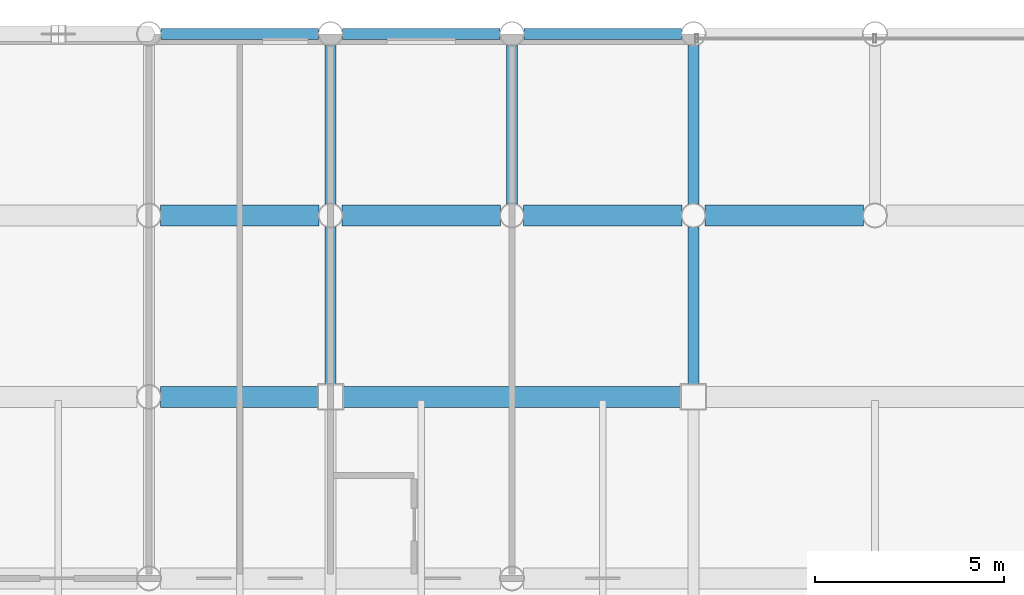
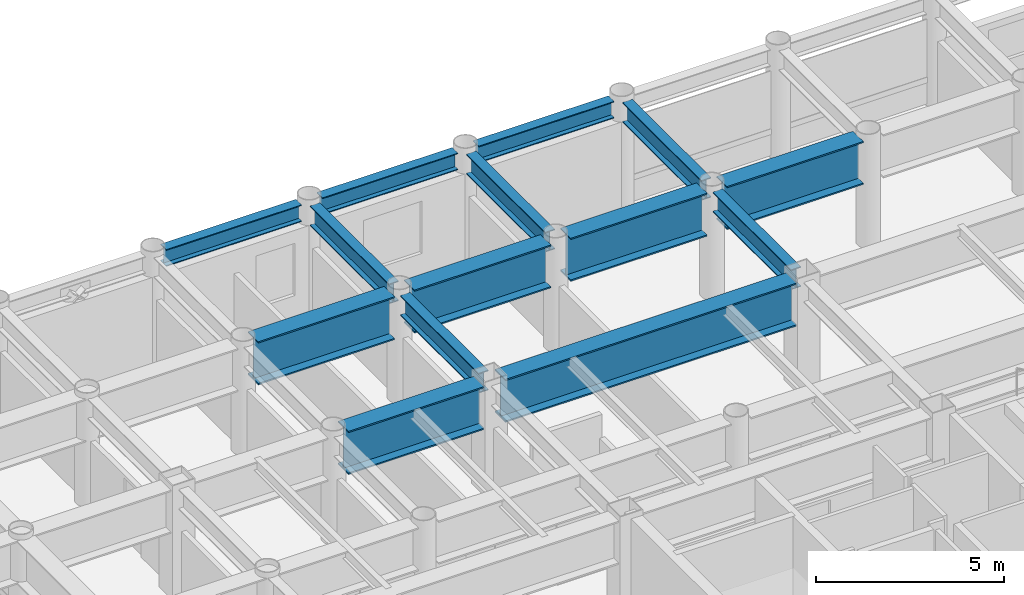
# One storey, part 10 of 23: 14 beams.
"""IFC4 building model written with IfcOpenShell, lengths in metres."""

import ifcopenshell
import ifcopenshell.guid

model = None  # the IFC model being written
_history = None  # IfcOwnerHistory: only IFC2X3 demands one
_inside = {}  # id of a spatial element -> (the spatial element, [elements in it])
_under = {}  # id of a project, library or spatial element -> (it, [spatial elements below it])
_declared = {}  # id of a project -> (the project, [libraries it declares])
_typed = {}  # id of a type object -> (the type object, [elements of that type])
_made_of = {}  # id of a material, layer set ... -> (it, [elements and type objects made of it])


def new_model(schema):
    """Start an empty IFC model of exactly this schema.

    Asked for "IFC4X3", IfcOpenShell would pick the latest addendum, in which some entities
    have other attributes; the version numbers below select the first issue.
    IFC2X3 requires an IfcOwnerHistory on every rooted entity: one is made here for all.
    """
    global model, _history
    if schema == "IFC4X3":
        model = ifcopenshell.file(schema_version=(4, 3, 0, 0))
    else:
        model = ifcopenshell.file(schema=schema)
    _inside.clear()
    _under.clear()
    _declared.clear()
    _typed.clear()
    _made_of.clear()
    _history = None
    if model.schema == "IFC2X3":
        org = make("IfcOrganization", Name="unknown")
        user = make(
            "IfcPersonAndOrganization",
            ThePerson=make("IfcPerson", FamilyName="unknown"),
            TheOrganization=org,
        )
        app = make(
            "IfcApplication",
            ApplicationDeveloper=org,
            Version="unknown",
            ApplicationFullName="unknown",
            ApplicationIdentifier="unknown",
        )
        _history = make(
            "IfcOwnerHistory",
            OwningUser=user,
            OwningApplication=app,
            ChangeAction="ADDED",
            CreationDate=0,
        )
    return model


def make(cls, **values):
    """One entity of the class cls with the attributes given. An attribute that is None is left unset."""
    return model.create_entity(
        cls, **{name: value for name, value in values.items() if value is not None}
    )


def rooted(cls, **values):
    """An entity with a GlobalId (a new one), such as an element, a storey or a relation."""
    return make(cls, GlobalId=ifcopenshell.guid.new(), OwnerHistory=_history, **values)


def si_unit(unit_type, name, prefix=None):
    """IfcSIUnit, for example si_unit("LENGTHUNIT", "METRE", prefix="MILLI")."""
    return make("IfcSIUnit", UnitType=unit_type, Prefix=prefix, Name=name)


def assignment(units):
    """IfcUnitAssignment: the units of a project."""
    return None if units is None else make("IfcUnitAssignment", Units=units)


def point(xyz):
    """IfcCartesianPoint."""
    return None if xyz is None else make("IfcCartesianPoint", Coordinates=xyz)


def direction(xyz):
    """IfcDirection."""
    return None if xyz is None else make("IfcDirection", DirectionRatios=xyz)


def frame(location, z_axis=None, x_axis=None):
    """IfcAxis2Placement3D, a coordinate frame: its origin and axes. An axis left out is left unset."""
    return make(
        "IfcAxis2Placement3D",
        Location=point(location),
        Axis=direction(z_axis),
        RefDirection=direction(x_axis),
    )


def frame_2d(location, x_axis=None):
    """IfcAxis2Placement2D, a coordinate frame in the plane: its origin and x axis."""
    return make(
        "IfcAxis2Placement2D", Location=point(location), RefDirection=direction(x_axis)
    )


def origin():
    """The frame at (0, 0, 0) with its axes left unset."""
    return frame((0.0, 0.0, 0.0))


def origin_2d():
    """The frame at (0, 0) in the plane with its x axis left unset."""
    return frame_2d((0.0, 0.0))


def place(relative_to, where):
    """IfcLocalPlacement: puts the frame where relative to a parent placement (None: the world)."""
    return make(
        "IfcLocalPlacement", PlacementRelTo=relative_to, RelativePlacement=where
    )


def context(
    kind, dimensions, precision=None, world=None, true_north=None, identifier=None
):
    """IfcGeometricRepresentationContext, for example the 3D "Model" context."""
    return make(
        "IfcGeometricRepresentationContext",
        ContextIdentifier=identifier,
        ContextType=kind,
        CoordinateSpaceDimension=dimensions,
        Precision=precision,
        WorldCoordinateSystem=world,
        TrueNorth=true_north,
    )


def subcontext(parent, identifier, kind, view, scale=None):
    """IfcGeometricRepresentationSubContext, for example "Body" below "Model"."""
    return make(
        "IfcGeometricRepresentationSubContext",
        ContextIdentifier=identifier,
        ContextType=kind,
        ParentContext=parent,
        TargetScale=scale,
        TargetView=view,
    )


def project(units=None, contexts=None):
    """IfcProject with its units and contexts."""
    return rooted(
        "IfcProject",
        Name="project",
        RepresentationContexts=contexts,
        UnitsInContext=assignment(units),
    )


def spatial(cls, under=None, at=None, **own):
    """A site, building, storey or space (cls), placed at a placement, below another one or the project."""
    s = rooted(cls, ObjectPlacement=at, **own)
    if under is not None:
        _under.setdefault(under.id(), (under, []))[1].append(s)
    return s


def profile(cls, at=None, kind="AREA", **sizes):
    """A parametric profile (cls). Its sizes go by their IFC names, for example OverallWidth=200.0."""
    return make(cls, ProfileType=kind, Position=at, **sizes)


def i_section(**sizes):
    """IfcIShapeProfileDef."""
    return profile("IfcIShapeProfileDef", **sizes)


def extrude(swept, where, along, depth):
    """IfcExtrudedAreaSolid: the profile swept, set in the frame where, extruded along a direction by depth."""
    return make(
        "IfcExtrudedAreaSolid",
        SweptArea=swept,
        Position=where,
        ExtrudedDirection=direction(along),
        Depth=depth,
    )


def shape(context_of_items, identifier, shape_type, items):
    """IfcShapeRepresentation: the items that make up one representation, for example the "Body"."""
    return make(
        "IfcShapeRepresentation",
        ContextOfItems=context_of_items,
        RepresentationIdentifier=identifier,
        RepresentationType=shape_type,
        Items=items,
    )


def material(Name=None, Category=None):
    """IfcMaterial."""
    return make("IfcMaterial", Name=Name, Category=Category)


def material_profile(
    of_material, cross_section, Name=None, Category=None, Priority=None
):
    """IfcMaterialProfile: a cross section and its material."""
    return make(
        "IfcMaterialProfile",
        Name=Name,
        Material=of_material,
        Profile=cross_section,
        Priority=Priority,
        Category=Category,
    )


def profile_set(profiles, Name=None, composite=None):
    """IfcMaterialProfileSet."""
    return make(
        "IfcMaterialProfileSet",
        Name=Name,
        MaterialProfiles=profiles,
        CompositeProfile=composite,
    )


def made_of(thing, what):
    """Note that an element or type object is made of a material, layer set ...; save() writes the relation."""
    if what is not None:
        _made_of.setdefault(what.id(), (what, []))[1].append(thing)
    return thing


def type_object(cls, material=None, **own):
    """A type object (cls), such as IfcWallType, which elements share."""
    return made_of(rooted(cls, **own), material)


def element(
    cls,
    number,
    at=None,
    inside=None,
    cuts=None,
    type_object=None,
    material=None,
    context=None,
    identifier="Body",
    shape_type=None,
    held_by="IfcProductDefinitionShape",
    body=None,
    shapes=None,
    **own,
):
    """One element of the class cls, such as IfcWall. Its Tag is "e" and its number.

    at: its placement. inside: the storey or other place that contains it. cuts: it is an
    opening in that element (IfcRelVoidsElement). A single representation is given by context,
    identifier, shape_type and body (its items); several are given by shapes. held_by: the class
    of the entity that holds the representations. save() writes the other relations.
    """
    e = rooted(cls, Tag="e%d" % number, ObjectPlacement=at, **own)
    if body is not None:
        shapes = [shape(context, identifier, shape_type, body)]
    if shapes is not None:
        e.Representation = make(held_by, Representations=shapes)
    if inside is not None:
        _inside.setdefault(inside.id(), (inside, []))[1].append(e)
    if cuts is not None:
        rooted(
            "IfcRelVoidsElement", RelatingBuildingElement=cuts, RelatedOpeningElement=e
        )
    if type_object is not None:
        _typed.setdefault(type_object.id(), (type_object, []))[1].append(e)
    return made_of(e, material)


def aggregate(whole, parts):
    """IfcRelAggregates: a whole, such as a stair, and the parts it consists of."""
    return rooted("IfcRelAggregates", RelatingObject=whole, RelatedObjects=parts)


def save(model, path):
    """Write the relations noted so far, then the file.

    IfcRelAggregates (storeys below a building ...), IfcRelContainedInSpatialStructure (elements
    in a storey), IfcRelDefinesByType, IfcRelAssociatesMaterial and IfcRelDeclares: one each for
    every whole, place, type object, material and project.
    """
    for whole, parts in _under.values():
        aggregate(whole, parts)
    for where, things in _inside.values():
        rooted(
            "IfcRelContainedInSpatialStructure",
            RelatedElements=things,
            RelatingStructure=where,
        )
    for kind, things in _typed.values():
        rooted("IfcRelDefinesByType", RelatedObjects=things, RelatingType=kind)
    for what, things in _made_of.values():
        rooted("IfcRelAssociatesMaterial", RelatedObjects=things, RelatingMaterial=what)
    for by, libraries in _declared.values():
        rooted("IfcRelDeclares", RelatingContext=by, RelatedDefinitions=libraries)
    model.write(path)


model = new_model("IFC4")

# Units and contexts
model_context = context("Model", 3, precision=1e-05, world=origin(), true_north=direction((0.0, 1.0)))
body_context = subcontext(model_context, "Body", "Model", "MODEL_VIEW")
ifc_project = project(units=[si_unit("LENGTHUNIT", "METRE"), si_unit("AREAUNIT", "SQUARE_METRE"), si_unit("VOLUMEUNIT", "CUBIC_METRE"), si_unit("PLANEANGLEUNIT", "RADIAN"), si_unit("MASSUNIT", "GRAM", prefix="KILO")], contexts=[model_context])

# Site, building, storey
site_placement = place(None, origin())
site = spatial("IfcSite", under=ifc_project, at=site_placement, CompositionType="ELEMENT")
building_placement = place(site_placement, origin())
building = spatial("IfcBuilding", under=site, at=building_placement, Name="Kallvorn Hotel Tower", CompositionType="ELEMENT")
storey_placement = place(building_placement, frame((0.0, 0.0, 121.10009765625)))
storey = spatial("IfcBuildingStorey", under=building, at=storey_placement, Name="L29", CompositionType="ELEMENT", Elevation=121.10009765625)

# Beams
ifc_material_1 = material(Name="Structural steel S355JR", Category="steel")
ifc_material_profile_1 = material_profile(ifc_material_1, i_section(OverallWidth=0.300048828125, OverallDepth=0.550048828125, WebThickness=0.014892578125, FlangeThickness=0.029052734375, at=origin_2d()), Name="HE 550 B")
ifc_profile_set_1 = profile_set([ifc_material_profile_1], Name="Structural steel S355JR")
beam_type_1 = type_object("IfcBeamType", Name="BM_HE550B", PredefinedType="SPANDREL", material=ifc_profile_set_1)
beam_1_placement = place(storey_placement, frame((-18.8798828125, 24.0, 3.244873046875), z_axis=(1.0, 0.0, 0.0), x_axis=(0.0, 1.0, 0.0)))
element("IfcBeam", 1, at=beam_1_placement, inside=storey, type_object=beam_type_1, Name="L30 Perimeter Spandrel 174", PredefinedType="SPANDREL", context=body_context, shape_type="SweptSolid", body=[
    extrude(i_section(OverallWidth=0.300048828125, OverallDepth=0.550048828125, WebThickness=0.014892578125, FlangeThickness=0.029052734375, at=origin_2d()), origin(), (0.0, 0.0, 1.0), 4.159912109375),
])
beam_2_placement = place(storey_placement, frame((-14.080078125, 24.0, 3.244873046875), z_axis=(1.0, 0.0, 0.0), x_axis=(0.0, 1.0, 0.0)))
element("IfcBeam", 2, at=beam_2_placement, inside=storey, type_object=beam_type_1, Name="L30 Perimeter Spandrel 175", PredefinedType="SPANDREL", context=body_context, shape_type="SweptSolid", body=[
    extrude(i_section(OverallWidth=0.300048828125, OverallDepth=0.550048828125, WebThickness=0.014892578125, FlangeThickness=0.029052734375, at=origin_2d()), origin(), (0.0, 0.0, 1.0), 4.16015625),
])
beam_3_placement = place(storey_placement, frame((-9.280029296875, 24.0, 3.244873046875), z_axis=(1.0, 0.0, 0.0), x_axis=(0.0, 1.0, 0.0)))
element("IfcBeam", 3, at=beam_3_placement, inside=storey, type_object=beam_type_1, Name="L30 Perimeter Spandrel 176", PredefinedType="SPANDREL", context=body_context, shape_type="SweptSolid", body=[
    extrude(i_section(OverallWidth=0.300048828125, OverallDepth=0.550048828125, WebThickness=0.014892578125, FlangeThickness=0.029052734375, at=origin_2d()), origin(), (0.0, 0.0, 1.0), 4.159912109375),
])
ifc_material_2 = material(Name="Structural steel S355JR", Category="steel")
ifc_material_profile_2 = material_profile(ifc_material_2, i_section(OverallWidth=0.300048828125, OverallDepth=0.64990234375, WebThickness=0.01611328125, FlangeThickness=0.031005859375, at=origin_2d()), Name="HE 650 B")
ifc_profile_set_2 = profile_set([ifc_material_profile_2], Name="Structural steel S355JR")
beam_type_2 = type_object("IfcBeamType", Name="BM_HE650B", PredefinedType="BEAM", material=ifc_profile_set_2)
beam_4_placement = place(storey_placement, frame((-14.39990234375, 14.72509765625, 3.19482421875), z_axis=(0.0, 1.0, 0.0), x_axis=(-1.0, 0.0, 0.0)))
element("IfcBeam", 4, at=beam_4_placement, inside=storey, type_object=beam_type_2, Name="L30 Primary Y-Girder 109", PredefinedType="BEAM", context=body_context, shape_type="SweptSolid", body=[
    extrude(i_section(OverallWidth=0.300048828125, OverallDepth=0.64990234375, WebThickness=0.01611328125, FlangeThickness=0.031005859375, at=origin_2d()), origin(), (0.0, 0.0, 1.0), 4.169921875),
])
for number, where, z_axis, x_axis, name in (
    (5, (-14.39990234375, 19.5048828125, 3.19482421875), (0.0, 1.0, 0.0), (-1.0, 0.0, 0.0), "L30 Primary Y-Girder 110"),
    (6, (-9.60009765625, 19.5048828125, 3.19482421875), (0.0, 1.0, 0.0), (-1.0, 0.0, 0.0), "L30 Primary Y-Girder 113"),
):
    element("IfcBeam", number, at=place(storey_placement, frame(where, z_axis=z_axis, x_axis=x_axis)), inside=storey, type_object=beam_type_2, Name=name, PredefinedType="BEAM", context=body_context, shape_type="SweptSolid", body=[
        extrude(i_section(OverallWidth=0.300048828125, OverallDepth=0.64990234375, WebThickness=0.01611328125, FlangeThickness=0.031005859375, at=origin_2d()), origin(), (0.0, 0.0, 1.0), 4.190185546875),
    ])
beam_5_placement = place(storey_placement, frame((-4.800048828125, 14.72509765625, 3.19482421875), z_axis=(0.0, 1.0, 0.0), x_axis=(-1.0, 0.0, 0.0)))
element("IfcBeam", 7, at=beam_5_placement, inside=storey, type_object=beam_type_2, Name="L30 Primary Y-Girder 117", PredefinedType="BEAM", context=body_context, shape_type="SweptSolid", body=[
    extrude(i_section(OverallWidth=0.300048828125, OverallDepth=0.64990234375, WebThickness=0.01611328125, FlangeThickness=0.031005859375, at=origin_2d()), origin(), (0.0, 0.0, 1.0), 4.169921875),
])
beam_6_placement = place(storey_placement, frame((-4.800048828125, 19.5048828125, 3.19482421875), z_axis=(0.0, 1.0, 0.0), x_axis=(-1.0, 0.0, 0.0)))
element("IfcBeam", 8, at=beam_6_placement, inside=storey, type_object=beam_type_2, Name="L30 Primary Y-Girder 118", PredefinedType="BEAM", context=body_context, shape_type="SweptSolid", body=[
    extrude(i_section(OverallWidth=0.300048828125, OverallDepth=0.64990234375, WebThickness=0.01611328125, FlangeThickness=0.031005859375, at=origin_2d()), origin(), (0.0, 0.0, 1.0), 4.190185546875),
])
ifc_material_3 = material(Name="Structural steel S355JR", Category="steel")
ifc_material_profile_3 = material_profile(ifc_material_3, i_section(OverallWidth=0.550048828125, OverallDepth=1.39990234375, WebThickness=0.02490234375, FlangeThickness=0.044921875, at=origin_2d()), Name="PG 1400x550x25x45")
ifc_profile_set_3 = profile_set([ifc_material_profile_3], Name="Structural steel S355JR")
beam_type_3 = type_object("IfcBeamType", Name="BM_PG_1400", PredefinedType="BEAM", material=ifc_profile_set_3)
beam_7_placement = place(storey_placement, frame((-18.89501953125, 14.39990234375, 2.81982421875), z_axis=(1.0, 0.0, 0.0), x_axis=(0.0, 1.0, 0.0)))
element("IfcBeam", 9, at=beam_7_placement, inside=storey, type_object=beam_type_3, Name="L30 Primary X-Girder 61", PredefinedType="BEAM", context=body_context, shape_type="SweptSolid", body=[
    extrude(i_section(OverallWidth=0.550048828125, OverallDepth=1.39990234375, WebThickness=0.02490234375, FlangeThickness=0.044921875, at=origin_2d()), origin(), (0.0, 0.0, 1.0), 4.169921875),
])
beam_8_placement = place(storey_placement, frame((-14.074951171875, 14.39990234375, 2.81982421875), z_axis=(1.0, 0.0, 0.0), x_axis=(0.0, 1.0, 0.0)))
element("IfcBeam", 10, at=beam_8_placement, inside=storey, type_object=beam_type_3, Name="L30 Primary X-Girder 62", PredefinedType="BEAM", context=body_context, shape_type="SweptSolid", body=[
    extrude(i_section(OverallWidth=0.550048828125, OverallDepth=1.39990234375, WebThickness=0.02490234375, FlangeThickness=0.044921875, at=origin_2d()), origin(), (0.0, 0.0, 1.0), 8.949951171875),
])
for number, where, z_axis, x_axis, name in (
    (11, (-18.89501953125, 19.199951171875, 2.81982421875), (1.0, 0.0, 0.0), (0.0, 1.0, 0.0), "L30 Primary X-Girder 71"),
    (12, (-14.094970703125, 19.199951171875, 2.81982421875), (1.0, 0.0, 0.0), (0.0, 1.0, 0.0), "L30 Primary X-Girder 72"),
    (13, (-9.294921875, 19.199951171875, 2.81982421875), (1.0, 0.0, 0.0), (0.0, 1.0, 0.0), "L30 Primary X-Girder 73"),
):
    element("IfcBeam", number, at=place(storey_placement, frame(where, z_axis=z_axis, x_axis=x_axis)), inside=storey, type_object=beam_type_3, Name=name, PredefinedType="BEAM", context=body_context, shape_type="SweptSolid", body=[
        extrude(i_section(OverallWidth=0.550048828125, OverallDepth=1.39990234375, WebThickness=0.02490234375, FlangeThickness=0.044921875, at=origin_2d()), origin(), (0.0, 0.0, 1.0), 4.18994140625),
    ])
beam_9_placement = place(storey_placement, frame((-4.4951171875, 19.199951171875, 2.81982421875), z_axis=(1.0, 0.0, 0.0), x_axis=(0.0, 1.0, 0.0)))
element("IfcBeam", 14, at=beam_9_placement, inside=storey, type_object=beam_type_3, Name="L30 Primary X-Girder 74", PredefinedType="BEAM", context=body_context, shape_type="SweptSolid", body=[
    extrude(i_section(OverallWidth=0.550048828125, OverallDepth=1.39990234375, WebThickness=0.02490234375, FlangeThickness=0.044921875, at=origin_2d()), origin(), (0.0, 0.0, 1.0), 4.190185546875),
])

save(model, "model.ifc")
